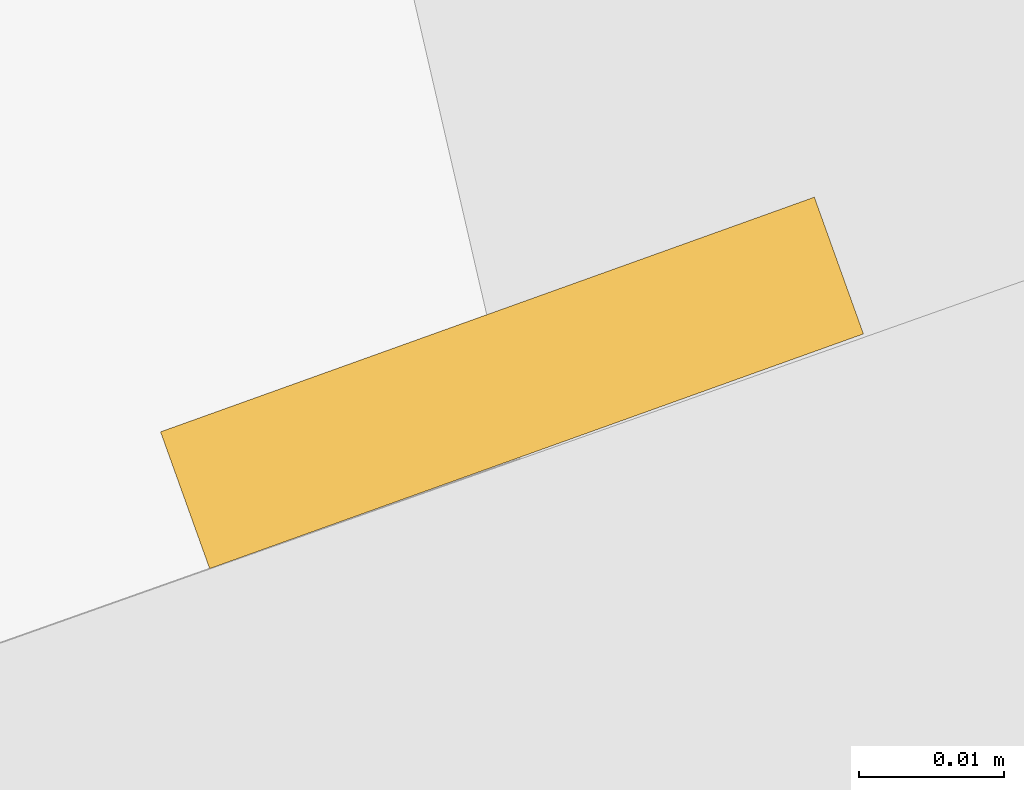
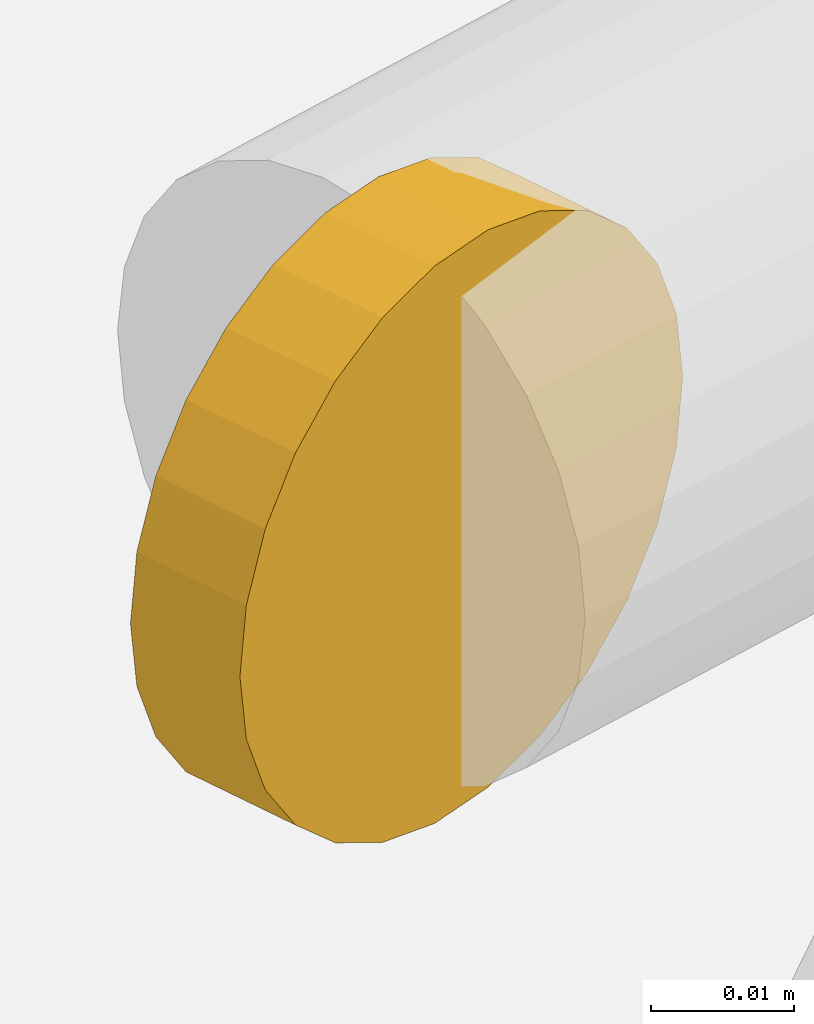
# One storey, part 22 of 25: 1 railing.
"""IFC4 building model written with IfcOpenShell, lengths in metres."""

from ifc_helpers import new_model, si_unit, direction, frame, origin, origin_2d, place, context, subcontext, project, spatial, circle, extrude, material, type_object, element, save


model = new_model("IFC4")

# Units and contexts
model_context = context("Model", 3, precision=1e-05, world=origin(), true_north=direction((0.0, 1.0)))
body_context = subcontext(model_context, "Body", "Model", "MODEL_VIEW")
ifc_project = project(units=[si_unit("LENGTHUNIT", "METRE"), si_unit("AREAUNIT", "SQUARE_METRE"), si_unit("VOLUMEUNIT", "CUBIC_METRE"), si_unit("PLANEANGLEUNIT", "RADIAN"), si_unit("MASSUNIT", "GRAM", prefix="KILO")], contexts=[model_context])

# Site, building, storey
site_placement = place(None, origin())
site = spatial("IfcSite", under=ifc_project, at=site_placement, CompositionType="ELEMENT")
building_placement = place(site_placement, origin())
building = spatial("IfcBuilding", under=site, at=building_placement, Name="Spindle Arch Residences", CompositionType="ELEMENT")
storey_placement = place(building_placement, frame((0.0, 0.0, 151.699951171875)))
storey = spatial("IfcBuildingStorey", under=building, at=storey_placement, Name="L37", CompositionType="ELEMENT", Elevation=151.699951171875)

# Railing
ifc_material = material(Name="Bronze anodised aluminium handrail", Category="aluminium")
railing_type = type_object("IfcRailingType", Name="Terrace handrail 900", PredefinedType="HANDRAIL", material=ifc_material)
railing_placement = place(storey_placement, frame((-10.429443359375, -23.34326171875, 0.030029296875)))
element("IfcRailing", 1, at=railing_placement, inside=storey, type_object=railing_type, Name="Terrace handrail L36 2", PredefinedType="HANDRAIL", context=body_context, shape_type="SweptSolid", body=[
    extrude(circle(Radius=0.02392578125, at=origin_2d()), frame((0.0, 0.0, 0.8759765625), z_axis=(0.337864753607, -0.941194670762, 0.0), x_axis=(0.941194670762, 0.337864753607, 0.0)), (0.0, 0.0, 1.0), 0.010009765625),
])

save(model, "model.ifc")
